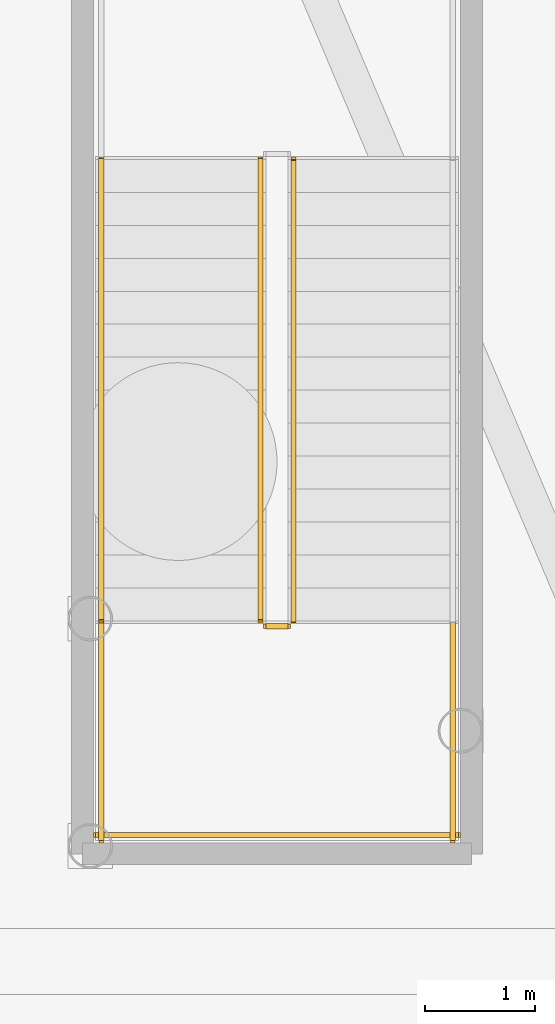
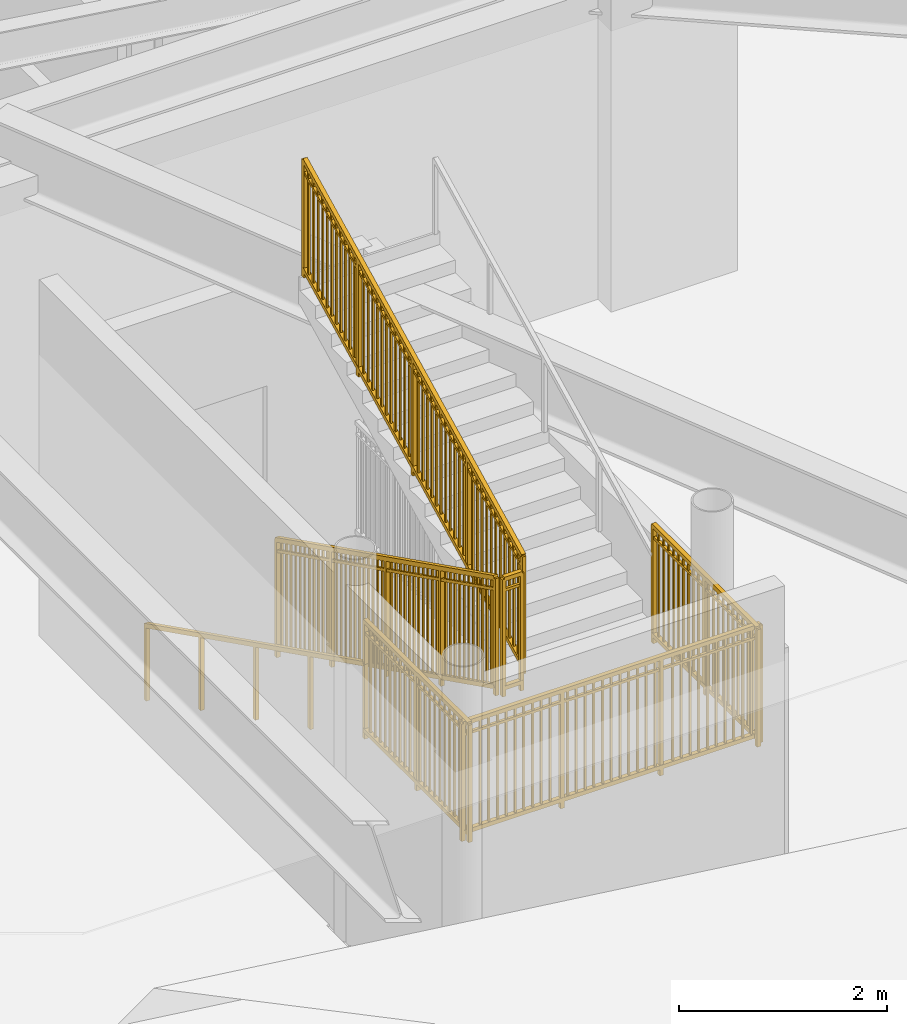
# One storey, part 13 of 18: 7 railings.
"""IFC4 building model written with IfcOpenShell, lengths in metres."""

from ifc_helpers import new_model, si_unit, direction, frame, origin, origin_2d, place, context, subcontext, project, spatial, rectangle, extrude, source, transform, mapped, material, type_object, element, save


model = new_model("IFC4")

# Units and contexts
model_context = context("Model", 3, precision=1e-05, world=origin(), true_north=direction((0.0, 1.0)))
body_context = subcontext(model_context, "Body", "Model", "MODEL_VIEW")
ifc_project = project(units=[si_unit("LENGTHUNIT", "METRE"), si_unit("AREAUNIT", "SQUARE_METRE"), si_unit("VOLUMEUNIT", "CUBIC_METRE"), si_unit("PLANEANGLEUNIT", "RADIAN"), si_unit("MASSUNIT", "GRAM", prefix="KILO")], contexts=[model_context])

# Site, building, storey
site_placement = place(None, origin())
site = spatial("IfcSite", under=ifc_project, at=site_placement, CompositionType="ELEMENT")
building_placement = place(site_placement, origin())
building = spatial("IfcBuilding", under=site, at=building_placement, Name="Linh Dai School and Residence Tower", CompositionType="ELEMENT")
storey_placement = place(building_placement, frame((0.0, 0.0, -9.0)))
storey = spatial("IfcBuildingStorey", under=building, at=storey_placement, Name="B02", CompositionType="ELEMENT", Elevation=-9.0)

# Railings
ifc_material_1 = material(Name="Structural Steel S355JR", Category="steel")
railing_type_1 = type_object("IfcRailingType", Name="RL-ST-GUARD-1400", PredefinedType="GUARDRAIL", material=ifc_material_1)
shared_shape_1 = source(origin(), body_context, "Body", "SweptSolid", [
    extrude(rectangle(XDim=0.048095703125, YDim=0.048095703125, at=origin_2d()), frame((0.0, 0.0, 1.3759765625), z_axis=(0.0, 0.894416792377, 0.447234392142), x_axis=(-1.0, 0.0, 0.0)), (0.0, 0.0, 1.0), 4.69580078125),
    extrude(rectangle(XDim=0.048095703125, YDim=0.048095703125, at=origin_2d()), frame((0.0, 0.0, 0.10009765625), z_axis=(0.0, 0.894416792377, 0.447234392142), x_axis=(-1.0, 0.0, 0.0)), (0.0, 0.0, 1.0), 4.69580078125),
    extrude(rectangle(XDim=0.030029296875, YDim=0.030029296875, at=origin_2d()), frame((0.0, 0.0, 1.239990234375), z_axis=(0.0, 0.894416792377, 0.447234392142), x_axis=(-1.0, 0.0, 0.0)), (0.0, 0.0, 1.0), 4.69580078125),
    extrude(rectangle(XDim=0.02001953125, YDim=0.02001953125, at=origin_2d()), frame((0.0, 0.08740234375, 0.143798828125)), (0.0, 0.0, 1.0), 1.251708984375),
    extrude(rectangle(XDim=0.02001953125, YDim=0.02001953125, at=origin_2d()), frame((0.0, 0.175048828125, 0.1875)), (0.0, 0.0, 1.0), 1.251708984375),
    extrude(rectangle(XDim=0.02001953125, YDim=0.02001953125, at=origin_2d()), frame((0.0, 0.262451171875, 0.2314453125)), (0.0, 0.0, 1.0), 1.251708984375),
    extrude(rectangle(XDim=0.02001953125, YDim=0.02001953125, at=origin_2d()), frame((0.0, 0.35009765625, 0.275146484375)), (0.0, 0.0, 1.0), 1.251708984375),
    extrude(rectangle(XDim=0.02001953125, YDim=0.02001953125, at=origin_2d()), frame((0.0, 0.4375, 0.31884765625)), (0.0, 0.0, 1.0), 1.251708984375),
    extrude(rectangle(XDim=0.02001953125, YDim=0.02001953125, at=origin_2d()), frame((0.0, 0.52490234375, 0.362548828125)), (0.0, 0.0, 1.0), 1.251708984375),
    extrude(rectangle(XDim=0.02001953125, YDim=0.02001953125, at=origin_2d()), frame((0.0, 0.612548828125, 0.40625)), (0.0, 0.0, 1.0), 1.251708984375),
    extrude(rectangle(XDim=0.02001953125, YDim=0.02001953125, at=origin_2d()), frame((0.0, 0.699951171875, 0.4501953125)), (0.0, 0.0, 1.0), 1.251708984375),
    extrude(rectangle(XDim=0.02001953125, YDim=0.02001953125, at=origin_2d()), frame((0.0, 0.78759765625, 0.493896484375)), (0.0, 0.0, 1.0), 1.251708984375),
    extrude(rectangle(XDim=0.02001953125, YDim=0.02001953125, at=origin_2d()), frame((0.0, 0.875, 0.53759765625)), (0.0, 0.0, 1.0), 1.251708984375),
    extrude(rectangle(XDim=0.02001953125, YDim=0.02001953125, at=origin_2d()), frame((0.0, 0.96240234375, 0.581298828125)), (0.0, 0.0, 1.0), 1.251708984375),
    extrude(rectangle(XDim=0.02001953125, YDim=0.02001953125, at=origin_2d()), frame((0.0, 1.137451171875, 0.6689453125)), (0.0, 0.0, 1.0), 1.251708984375),
    extrude(rectangle(XDim=0.02001953125, YDim=0.02001953125, at=origin_2d()), frame((0.0, 1.22509765625, 0.712646484375)), (0.0, 0.0, 1.0), 1.251708984375),
    extrude(rectangle(XDim=0.02001953125, YDim=0.02001953125, at=origin_2d()), frame((0.0, 1.3125, 0.75634765625)), (0.0, 0.0, 1.0), 1.251708984375),
    extrude(rectangle(XDim=0.02001953125, YDim=0.02001953125, at=origin_2d()), frame((0.0, 1.39990234375, 0.800048828125)), (0.0, 0.0, 1.0), 1.251708984375),
    extrude(rectangle(XDim=0.02001953125, YDim=0.02001953125, at=origin_2d()), frame((0.0, 1.487548828125, 0.843994140625)), (0.0, 0.0, 1.0), 1.251708984375),
    extrude(rectangle(XDim=0.02001953125, YDim=0.02001953125, at=origin_2d()), frame((0.0, 1.574951171875, 0.8876953125)), (0.0, 0.0, 1.0), 1.251708984375),
    extrude(rectangle(XDim=0.02001953125, YDim=0.02001953125, at=origin_2d()), frame((0.0, 1.66259765625, 0.931396484375)), (0.0, 0.0, 1.0), 1.251708984375),
    extrude(rectangle(XDim=0.02001953125, YDim=0.02001953125, at=origin_2d()), frame((0.0, 1.75, 0.97509765625)), (0.0, 0.0, 1.0), 1.251708984375),
    extrude(rectangle(XDim=0.02001953125, YDim=0.02001953125, at=origin_2d()), frame((0.0, 1.83740234375, 1.018798828125)), (0.0, 0.0, 1.0), 1.251708984375),
    extrude(rectangle(XDim=0.02001953125, YDim=0.02001953125, at=origin_2d()), frame((0.0, 1.925048828125, 1.062744140625)), (0.0, 0.0, 1.0), 1.251708984375),
    extrude(rectangle(XDim=0.02001953125, YDim=0.02001953125, at=origin_2d()), frame((0.0, 2.012451171875, 1.1064453125)), (0.0, 0.0, 1.0), 1.251708984375),
    extrude(rectangle(XDim=0.02001953125, YDim=0.02001953125, at=origin_2d()), frame((0.0, 2.1875, 1.19384765625)), (0.0, 0.0, 1.0), 1.251708984375),
    extrude(rectangle(XDim=0.02001953125, YDim=0.02001953125, at=origin_2d()), frame((0.0, 2.27490234375, 1.237548828125)), (0.0, 0.0, 1.0), 1.251708984375),
    extrude(rectangle(XDim=0.02001953125, YDim=0.02001953125, at=origin_2d()), frame((0.0, 2.362548828125, 1.281494140625)), (0.0, 0.0, 1.0), 1.251708984375),
    extrude(rectangle(XDim=0.02001953125, YDim=0.02001953125, at=origin_2d()), frame((0.0, 2.449951171875, 1.3251953125)), (0.0, 0.0, 1.0), 1.251708984375),
    extrude(rectangle(XDim=0.02001953125, YDim=0.02001953125, at=origin_2d()), frame((0.0, 2.537353515625, 1.368896484375)), (0.0, 0.0, 1.0), 1.251708984375),
    extrude(rectangle(XDim=0.02001953125, YDim=0.02001953125, at=origin_2d()), frame((0.0, 2.625, 1.41259765625)), (0.0, 0.0, 1.0), 1.251708984375),
    extrude(rectangle(XDim=0.02001953125, YDim=0.02001953125, at=origin_2d()), frame((0.0, 2.71240234375, 1.456298828125)), (0.0, 0.0, 1.0), 1.251708984375),
    extrude(rectangle(XDim=0.02001953125, YDim=0.02001953125, at=origin_2d()), frame((0.0, 2.800048828125, 1.500244140625)), (0.0, 0.0, 1.0), 1.251708984375),
    extrude(rectangle(XDim=0.02001953125, YDim=0.02001953125, at=origin_2d()), frame((0.0, 2.887451171875, 1.5439453125)), (0.0, 0.0, 1.0), 1.251708984375),
    extrude(rectangle(XDim=0.02001953125, YDim=0.02001953125, at=origin_2d()), frame((0.0, 2.974853515625, 1.587646484375)), (0.0, 0.0, 1.0), 1.251708984375),
    extrude(rectangle(XDim=0.02001953125, YDim=0.02001953125, at=origin_2d()), frame((0.0, 3.0625, 1.63134765625)), (0.0, 0.0, 1.0), 1.251708984375),
    extrude(rectangle(XDim=0.02001953125, YDim=0.02001953125, at=origin_2d()), frame((0.0, 3.237548828125, 1.718994140625)), (0.0, 0.0, 1.0), 1.251708984375),
    extrude(rectangle(XDim=0.02001953125, YDim=0.02001953125, at=origin_2d()), frame((0.0, 3.324951171875, 1.7626953125)), (0.0, 0.0, 1.0), 1.251708984375),
    extrude(rectangle(XDim=0.02001953125, YDim=0.02001953125, at=origin_2d()), frame((0.0, 3.412353515625, 1.806396484375)), (0.0, 0.0, 1.0), 1.251708984375),
    extrude(rectangle(XDim=0.02001953125, YDim=0.02001953125, at=origin_2d()), frame((0.0, 3.5, 1.85009765625)), (0.0, 0.0, 1.0), 1.251708984375),
    extrude(rectangle(XDim=0.02001953125, YDim=0.02001953125, at=origin_2d()), frame((0.0, 3.58740234375, 1.89404296875)), (0.0, 0.0, 1.0), 1.251708984375),
    extrude(rectangle(XDim=0.02001953125, YDim=0.02001953125, at=origin_2d()), frame((0.0, 3.675048828125, 1.937744140625)), (0.0, 0.0, 1.0), 1.251708984375),
    extrude(rectangle(XDim=0.02001953125, YDim=0.02001953125, at=origin_2d()), frame((0.0, 3.762451171875, 1.9814453125)), (0.0, 0.0, 1.0), 1.251708984375),
    extrude(rectangle(XDim=0.02001953125, YDim=0.02001953125, at=origin_2d()), frame((0.0, 3.849853515625, 2.025146484375)), (0.0, 0.0, 1.0), 1.251708984375),
    extrude(rectangle(XDim=0.02001953125, YDim=0.02001953125, at=origin_2d()), frame((0.0, 3.9375, 2.06884765625)), (0.0, 0.0, 1.0), 1.251708984375),
    extrude(rectangle(XDim=0.02001953125, YDim=0.02001953125, at=origin_2d()), frame((0.0, 4.02490234375, 2.11279296875)), (0.0, 0.0, 1.0), 1.251708984375),
    extrude(rectangle(XDim=0.02001953125, YDim=0.02001953125, at=origin_2d()), frame((0.0, 4.112548828125, 2.156494140625)), (0.0, 0.0, 1.0), 1.251708984375),
    extrude(rectangle(XDim=0.0419921875, YDim=0.0419921875, at=origin_2d()), origin(), (0.0, 0.0, 1.0), 1.3759765625),
    extrude(rectangle(XDim=0.0419921875, YDim=0.0419921875, at=origin_2d()), frame((0.0, 1.050048828125, 0.52490234375)), (0.0, 0.0, 1.0), 1.3759765625),
    extrude(rectangle(XDim=0.0419921875, YDim=0.0419921875, at=origin_2d()), frame((0.0, 2.10009765625, 1.050048828125)), (0.0, 0.0, 1.0), 1.3759765625),
    extrude(rectangle(XDim=0.0419921875, YDim=0.0419921875, at=origin_2d()), frame((0.0, 3.14990234375, 1.5751953125)), (0.0, 0.0, 1.0), 1.3759765625),
    extrude(rectangle(XDim=0.0419921875, YDim=0.0419921875, at=origin_2d()), frame((0.0, 4.199951171875, 2.10009765625)), (0.0, 0.0, 1.0), 1.3759765625),
])
railing_1_placement = place(storey_placement, frame((39.800048828125, 11.800048828125, 2.39990234375)))
element("IfcRailing", 1, at=railing_1_placement, inside=storey, type_object=railing_type_1, Name="B02 STB1 stair guard 6", PredefinedType="GUARDRAIL", context=body_context, shape_type="MappedRepresentation", body=[
    mapped(shared_shape_1, transform((0.0, 0.0, 0.0), x_axis=(1.0, 0.0, 0.0), y_axis=(0.0, 1.0, 0.0), z_axis=(0.0, 0.0, 1.0), scale=1.0)),
])
shared_shape_2 = source(origin(), body_context, "Body", "SweptSolid", [
    extrude(rectangle(XDim=0.048095703125, YDim=0.048095703125, at=origin_2d()), frame((0.0, 0.0, 1.3759765625), z_axis=(0.0, -0.894416792377, 0.447234392142), x_axis=(1.0, 0.0, 0.0)), (0.0, 0.0, 1.0), 4.69580078125),
    extrude(rectangle(XDim=0.048095703125, YDim=0.048095703125, at=origin_2d()), frame((0.0, 0.0, 0.10009765625), z_axis=(0.0, -0.894416792377, 0.447234392142), x_axis=(1.0, 0.0, 0.0)), (0.0, 0.0, 1.0), 4.69580078125),
    extrude(rectangle(XDim=0.030029296875, YDim=0.030029296875, at=origin_2d()), frame((0.0, 0.0, 1.239990234375), z_axis=(0.0, -0.894416792377, 0.447234392142), x_axis=(1.0, 0.0, 0.0)), (0.0, 0.0, 1.0), 4.69580078125),
    extrude(rectangle(XDim=0.02001953125, YDim=0.02001953125, at=origin_2d()), frame((0.0, -0.08740234375, 0.143798828125)), (0.0, 0.0, 1.0), 1.251708984375),
    extrude(rectangle(XDim=0.02001953125, YDim=0.02001953125, at=origin_2d()), frame((0.0, -0.175048828125, 0.1875)), (0.0, 0.0, 1.0), 1.251708984375),
    extrude(rectangle(XDim=0.02001953125, YDim=0.02001953125, at=origin_2d()), frame((0.0, -0.262451171875, 0.2314453125)), (0.0, 0.0, 1.0), 1.251708984375),
    extrude(rectangle(XDim=0.02001953125, YDim=0.02001953125, at=origin_2d()), frame((0.0, -0.35009765625, 0.275146484375)), (0.0, 0.0, 1.0), 1.251708984375),
    extrude(rectangle(XDim=0.02001953125, YDim=0.02001953125, at=origin_2d()), frame((0.0, -0.4375, 0.31884765625)), (0.0, 0.0, 1.0), 1.251708984375),
    extrude(rectangle(XDim=0.02001953125, YDim=0.02001953125, at=origin_2d()), frame((0.0, -0.52490234375, 0.362548828125)), (0.0, 0.0, 1.0), 1.251708984375),
    extrude(rectangle(XDim=0.02001953125, YDim=0.02001953125, at=origin_2d()), frame((0.0, -0.612548828125, 0.40625)), (0.0, 0.0, 1.0), 1.251708984375),
    extrude(rectangle(XDim=0.02001953125, YDim=0.02001953125, at=origin_2d()), frame((0.0, -0.699951171875, 0.4501953125)), (0.0, 0.0, 1.0), 1.251708984375),
    extrude(rectangle(XDim=0.02001953125, YDim=0.02001953125, at=origin_2d()), frame((0.0, -0.78759765625, 0.493896484375)), (0.0, 0.0, 1.0), 1.251708984375),
    extrude(rectangle(XDim=0.02001953125, YDim=0.02001953125, at=origin_2d()), frame((0.0, -0.875, 0.53759765625)), (0.0, 0.0, 1.0), 1.251708984375),
    extrude(rectangle(XDim=0.02001953125, YDim=0.02001953125, at=origin_2d()), frame((0.0, -0.96240234375, 0.581298828125)), (0.0, 0.0, 1.0), 1.251708984375),
    extrude(rectangle(XDim=0.02001953125, YDim=0.02001953125, at=origin_2d()), frame((0.0, -1.137451171875, 0.6689453125)), (0.0, 0.0, 1.0), 1.251708984375),
    extrude(rectangle(XDim=0.02001953125, YDim=0.02001953125, at=origin_2d()), frame((0.0, -1.22509765625, 0.712646484375)), (0.0, 0.0, 1.0), 1.251708984375),
    extrude(rectangle(XDim=0.02001953125, YDim=0.02001953125, at=origin_2d()), frame((0.0, -1.3125, 0.75634765625)), (0.0, 0.0, 1.0), 1.251708984375),
    extrude(rectangle(XDim=0.02001953125, YDim=0.02001953125, at=origin_2d()), frame((0.0, -1.39990234375, 0.800048828125)), (0.0, 0.0, 1.0), 1.251708984375),
    extrude(rectangle(XDim=0.02001953125, YDim=0.02001953125, at=origin_2d()), frame((0.0, -1.487548828125, 0.843994140625)), (0.0, 0.0, 1.0), 1.251708984375),
    extrude(rectangle(XDim=0.02001953125, YDim=0.02001953125, at=origin_2d()), frame((0.0, -1.574951171875, 0.8876953125)), (0.0, 0.0, 1.0), 1.251708984375),
    extrude(rectangle(XDim=0.02001953125, YDim=0.02001953125, at=origin_2d()), frame((0.0, -1.66259765625, 0.931396484375)), (0.0, 0.0, 1.0), 1.251708984375),
    extrude(rectangle(XDim=0.02001953125, YDim=0.02001953125, at=origin_2d()), frame((0.0, -1.75, 0.97509765625)), (0.0, 0.0, 1.0), 1.251708984375),
    extrude(rectangle(XDim=0.02001953125, YDim=0.02001953125, at=origin_2d()), frame((0.0, -1.83740234375, 1.018798828125)), (0.0, 0.0, 1.0), 1.251708984375),
    extrude(rectangle(XDim=0.02001953125, YDim=0.02001953125, at=origin_2d()), frame((0.0, -1.925048828125, 1.062744140625)), (0.0, 0.0, 1.0), 1.251708984375),
    extrude(rectangle(XDim=0.02001953125, YDim=0.02001953125, at=origin_2d()), frame((0.0, -2.012451171875, 1.1064453125)), (0.0, 0.0, 1.0), 1.251708984375),
    extrude(rectangle(XDim=0.02001953125, YDim=0.02001953125, at=origin_2d()), frame((0.0, -2.1875, 1.19384765625)), (0.0, 0.0, 1.0), 1.251708984375),
    extrude(rectangle(XDim=0.02001953125, YDim=0.02001953125, at=origin_2d()), frame((0.0, -2.27490234375, 1.237548828125)), (0.0, 0.0, 1.0), 1.251708984375),
    extrude(rectangle(XDim=0.02001953125, YDim=0.02001953125, at=origin_2d()), frame((0.0, -2.362548828125, 1.281494140625)), (0.0, 0.0, 1.0), 1.251708984375),
    extrude(rectangle(XDim=0.02001953125, YDim=0.02001953125, at=origin_2d()), frame((0.0, -2.449951171875, 1.3251953125)), (0.0, 0.0, 1.0), 1.251708984375),
    extrude(rectangle(XDim=0.02001953125, YDim=0.02001953125, at=origin_2d()), frame((0.0, -2.537353515625, 1.368896484375)), (0.0, 0.0, 1.0), 1.251708984375),
    extrude(rectangle(XDim=0.02001953125, YDim=0.02001953125, at=origin_2d()), frame((0.0, -2.625, 1.41259765625)), (0.0, 0.0, 1.0), 1.251708984375),
    extrude(rectangle(XDim=0.02001953125, YDim=0.02001953125, at=origin_2d()), frame((0.0, -2.71240234375, 1.456298828125)), (0.0, 0.0, 1.0), 1.251708984375),
    extrude(rectangle(XDim=0.02001953125, YDim=0.02001953125, at=origin_2d()), frame((0.0, -2.800048828125, 1.500244140625)), (0.0, 0.0, 1.0), 1.251708984375),
    extrude(rectangle(XDim=0.02001953125, YDim=0.02001953125, at=origin_2d()), frame((0.0, -2.887451171875, 1.5439453125)), (0.0, 0.0, 1.0), 1.251708984375),
    extrude(rectangle(XDim=0.02001953125, YDim=0.02001953125, at=origin_2d()), frame((0.0, -2.974853515625, 1.587646484375)), (0.0, 0.0, 1.0), 1.251708984375),
    extrude(rectangle(XDim=0.02001953125, YDim=0.02001953125, at=origin_2d()), frame((0.0, -3.0625, 1.63134765625)), (0.0, 0.0, 1.0), 1.251708984375),
    extrude(rectangle(XDim=0.02001953125, YDim=0.02001953125, at=origin_2d()), frame((0.0, -3.237548828125, 1.718994140625)), (0.0, 0.0, 1.0), 1.251708984375),
    extrude(rectangle(XDim=0.02001953125, YDim=0.02001953125, at=origin_2d()), frame((0.0, -3.324951171875, 1.7626953125)), (0.0, 0.0, 1.0), 1.251708984375),
    extrude(rectangle(XDim=0.02001953125, YDim=0.02001953125, at=origin_2d()), frame((0.0, -3.412353515625, 1.806396484375)), (0.0, 0.0, 1.0), 1.251708984375),
    extrude(rectangle(XDim=0.02001953125, YDim=0.02001953125, at=origin_2d()), frame((0.0, -3.5, 1.85009765625)), (0.0, 0.0, 1.0), 1.251708984375),
    extrude(rectangle(XDim=0.02001953125, YDim=0.02001953125, at=origin_2d()), frame((0.0, -3.58740234375, 1.89404296875)), (0.0, 0.0, 1.0), 1.251708984375),
    extrude(rectangle(XDim=0.02001953125, YDim=0.02001953125, at=origin_2d()), frame((0.0, -3.675048828125, 1.937744140625)), (0.0, 0.0, 1.0), 1.251708984375),
    extrude(rectangle(XDim=0.02001953125, YDim=0.02001953125, at=origin_2d()), frame((0.0, -3.762451171875, 1.9814453125)), (0.0, 0.0, 1.0), 1.251708984375),
    extrude(rectangle(XDim=0.02001953125, YDim=0.02001953125, at=origin_2d()), frame((0.0, -3.849853515625, 2.025146484375)), (0.0, 0.0, 1.0), 1.251708984375),
    extrude(rectangle(XDim=0.02001953125, YDim=0.02001953125, at=origin_2d()), frame((0.0, -3.9375, 2.06884765625)), (0.0, 0.0, 1.0), 1.251708984375),
    extrude(rectangle(XDim=0.02001953125, YDim=0.02001953125, at=origin_2d()), frame((0.0, -4.02490234375, 2.11279296875)), (0.0, 0.0, 1.0), 1.251708984375),
    extrude(rectangle(XDim=0.02001953125, YDim=0.02001953125, at=origin_2d()), frame((0.0, -4.112548828125, 2.156494140625)), (0.0, 0.0, 1.0), 1.251708984375),
    extrude(rectangle(XDim=0.0419921875, YDim=0.0419921875, at=origin_2d()), origin(), (0.0, 0.0, 1.0), 1.3759765625),
    extrude(rectangle(XDim=0.0419921875, YDim=0.0419921875, at=origin_2d()), frame((0.0, -1.050048828125, 0.52490234375)), (0.0, 0.0, 1.0), 1.3759765625),
    extrude(rectangle(XDim=0.0419921875, YDim=0.0419921875, at=origin_2d()), frame((0.0, -2.10009765625, 1.050048828125)), (0.0, 0.0, 1.0), 1.3759765625),
    extrude(rectangle(XDim=0.0419921875, YDim=0.0419921875, at=origin_2d()), frame((0.0, -3.14990234375, 1.5751953125)), (0.0, 0.0, 1.0), 1.3759765625),
    extrude(rectangle(XDim=0.0419921875, YDim=0.0419921875, at=origin_2d()), frame((0.0, -4.199951171875, 2.10009765625)), (0.0, 0.0, 1.0), 1.3759765625),
])
railing_2_placement = place(storey_placement, frame((39.5, 16.0, 0.14990234375)))
element("IfcRailing", 2, at=railing_2_placement, inside=storey, type_object=railing_type_1, Name="B02 STB1 stair guard 1", PredefinedType="GUARDRAIL", context=body_context, shape_type="MappedRepresentation", body=[
    mapped(shared_shape_2, transform((0.0, 0.0, 0.0), x_axis=(1.0, 0.0, 0.0), y_axis=(0.0, 1.0, 0.0), z_axis=(0.0, 0.0, 1.0), scale=1.0)),
])
ifc_material_2 = material(Name="Brushed Stainless Steel Handrail", Category="steel")
railing_type_2 = type_object("IfcRailingType", Name="RL-ST-HANDRAIL-900", PredefinedType="HANDRAIL", material=ifc_material_2)
shared_shape_3 = source(origin(), body_context, "Body", "SweptSolid", [
    extrude(rectangle(XDim=0.048095703125, YDim=0.048095703125, at=origin_2d()), frame((0.0, 0.0, 0.8759765625), z_axis=(0.0, -0.894416792377, 0.447234392142), x_axis=(1.0, 0.0, 0.0)), (0.0, 0.0, 1.0), 4.69580078125),
    extrude(rectangle(XDim=0.0419921875, YDim=0.0419921875, at=origin_2d()), origin(), (0.0, 0.0, 1.0), 0.8759765625),
    extrude(rectangle(XDim=0.0419921875, YDim=0.0419921875, at=origin_2d()), frame((0.0, -1.050048828125, 0.52490234375)), (0.0, 0.0, 1.0), 0.8759765625),
    extrude(rectangle(XDim=0.0419921875, YDim=0.0419921875, at=origin_2d()), frame((0.0, -2.10009765625, 1.050048828125)), (0.0, 0.0, 1.0), 0.8759765625),
    extrude(rectangle(XDim=0.0419921875, YDim=0.0419921875, at=origin_2d()), frame((0.0, -3.14990234375, 1.5751953125)), (0.0, 0.0, 1.0), 0.8759765625),
    extrude(rectangle(XDim=0.0419921875, YDim=0.0419921875, at=origin_2d()), frame((0.0, -4.199951171875, 2.10009765625)), (0.0, 0.0, 1.0), 0.8759765625),
])
railing_3_placement = place(storey_placement, frame((38.050048828125, 16.0, 0.14990234375)))
element("IfcRailing", 3, at=railing_3_placement, inside=storey, type_object=railing_type_2, Name="B02 STB1 stair handrail 1", PredefinedType="HANDRAIL", context=body_context, shape_type="MappedRepresentation", body=[
    mapped(shared_shape_3, transform((0.0, 0.0, 0.0), x_axis=(1.0, 0.0, 0.0), y_axis=(0.0, 1.0, 0.0), z_axis=(0.0, 0.0, 1.0), scale=1.0)),
])
shared_shape_4 = source(origin(), body_context, "Body", "SweptSolid", [
    extrude(rectangle(XDim=0.048095703125, YDim=0.048095703125, at=origin_2d()), frame((0.0, 0.0, 1.3759765625), z_axis=(1.0, 0.0, 0.0), x_axis=(0.0, 1.0, 0.0)), (0.0, 0.0, 1.0), 0.199951171875),
    extrude(rectangle(XDim=0.048095703125, YDim=0.048095703125, at=origin_2d()), frame((0.0, 0.0, 0.10009765625), z_axis=(1.0, 0.0, 0.0), x_axis=(0.0, 1.0, 0.0)), (0.0, 0.0, 1.0), 0.199951171875),
    extrude(rectangle(XDim=0.030029296875, YDim=0.030029296875, at=origin_2d()), frame((0.0, 0.0, 1.239990234375), z_axis=(1.0, 0.0, 0.0), x_axis=(0.0, 1.0, 0.0)), (0.0, 0.0, 1.0), 0.199951171875),
    extrude(rectangle(XDim=0.0419921875, YDim=0.0419921875, at=origin_2d()), origin(), (0.0, 0.0, 1.0), 1.3759765625),
    extrude(rectangle(XDim=0.0419921875, YDim=0.0419921875, at=origin_2d()), frame((0.199951171875, 0.0, 0.0)), (0.0, 0.0, 1.0), 1.3759765625),
])
railing_4_placement = place(storey_placement, frame((39.550048828125, 11.75, 2.25)))
element("IfcRailing", 4, at=railing_4_placement, inside=storey, type_object=railing_type_1, Name="B02 STB1 stair guard 2", PredefinedType="GUARDRAIL", context=body_context, shape_type="MappedRepresentation", body=[
    mapped(shared_shape_4, transform((0.0, 0.0, 0.0), x_axis=(1.0, 0.0, 0.0), y_axis=(0.0, 1.0, 0.0), z_axis=(0.0, 0.0, 1.0), scale=1.0)),
])
shared_shape_5 = source(origin(), body_context, "Body", "SweptSolid", [
    extrude(rectangle(XDim=0.048095703125, YDim=0.048095703125, at=origin_2d()), frame((0.0, 0.0, 1.3759765625), z_axis=(1.0, 0.0, 0.0), x_axis=(0.0, 1.0, 0.0)), (0.0, 0.0, 1.0), 3.300048828125),
    extrude(rectangle(XDim=0.048095703125, YDim=0.048095703125, at=origin_2d()), frame((0.0, 0.0, 0.10009765625), z_axis=(1.0, 0.0, 0.0), x_axis=(0.0, 1.0, 0.0)), (0.0, 0.0, 1.0), 3.300048828125),
    extrude(rectangle(XDim=0.030029296875, YDim=0.030029296875, at=origin_2d()), frame((0.0, 0.0, 1.239990234375), z_axis=(1.0, 0.0, 0.0), x_axis=(0.0, 1.0, 0.0)), (0.0, 0.0, 1.0), 3.300048828125),
    extrude(rectangle(XDim=0.02001953125, YDim=0.02001953125, at=origin_2d()), frame((0.09716796875, 0.0, 0.10009765625)), (0.0, 0.0, 1.0), 1.251708984375),
    extrude(rectangle(XDim=0.02001953125, YDim=0.02001953125, at=origin_2d()), frame((0.194091796875, 0.0, 0.10009765625)), (0.0, 0.0, 1.0), 1.251708984375),
    extrude(rectangle(XDim=0.02001953125, YDim=0.02001953125, at=origin_2d()), frame((0.291259765625, 0.0, 0.10009765625)), (0.0, 0.0, 1.0), 1.251708984375),
    extrude(rectangle(XDim=0.02001953125, YDim=0.02001953125, at=origin_2d()), frame((0.38818359375, 0.0, 0.10009765625)), (0.0, 0.0, 1.0), 1.251708984375),
    extrude(rectangle(XDim=0.02001953125, YDim=0.02001953125, at=origin_2d()), frame((0.4853515625, 0.0, 0.10009765625)), (0.0, 0.0, 1.0), 1.251708984375),
    extrude(rectangle(XDim=0.02001953125, YDim=0.02001953125, at=origin_2d()), frame((0.582275390625, 0.0, 0.10009765625)), (0.0, 0.0, 1.0), 1.251708984375),
    extrude(rectangle(XDim=0.02001953125, YDim=0.02001953125, at=origin_2d()), frame((0.679443359375, 0.0, 0.10009765625)), (0.0, 0.0, 1.0), 1.251708984375),
    extrude(rectangle(XDim=0.02001953125, YDim=0.02001953125, at=origin_2d()), frame((0.7763671875, 0.0, 0.10009765625)), (0.0, 0.0, 1.0), 1.251708984375),
    extrude(rectangle(XDim=0.02001953125, YDim=0.02001953125, at=origin_2d()), frame((0.87353515625, 0.0, 0.10009765625)), (0.0, 0.0, 1.0), 1.251708984375),
    extrude(rectangle(XDim=0.02001953125, YDim=0.02001953125, at=origin_2d()), frame((0.970703125, 0.0, 0.10009765625)), (0.0, 0.0, 1.0), 1.251708984375),
    extrude(rectangle(XDim=0.02001953125, YDim=0.02001953125, at=origin_2d()), frame((1.164794921875, 0.0, 0.10009765625)), (0.0, 0.0, 1.0), 1.251708984375),
    extrude(rectangle(XDim=0.02001953125, YDim=0.02001953125, at=origin_2d()), frame((1.26171875, 0.0, 0.10009765625)), (0.0, 0.0, 1.0), 1.251708984375),
    extrude(rectangle(XDim=0.02001953125, YDim=0.02001953125, at=origin_2d()), frame((1.35888671875, 0.0, 0.10009765625)), (0.0, 0.0, 1.0), 1.251708984375),
    extrude(rectangle(XDim=0.02001953125, YDim=0.02001953125, at=origin_2d()), frame((1.455810546875, 0.0, 0.10009765625)), (0.0, 0.0, 1.0), 1.251708984375),
    extrude(rectangle(XDim=0.02001953125, YDim=0.02001953125, at=origin_2d()), frame((1.552978515625, 0.0, 0.10009765625)), (0.0, 0.0, 1.0), 1.251708984375),
    extrude(rectangle(XDim=0.02001953125, YDim=0.02001953125, at=origin_2d()), frame((1.64990234375, 0.0, 0.10009765625)), (0.0, 0.0, 1.0), 1.251708984375),
    extrude(rectangle(XDim=0.02001953125, YDim=0.02001953125, at=origin_2d()), frame((1.7470703125, 0.0, 0.10009765625)), (0.0, 0.0, 1.0), 1.251708984375),
    extrude(rectangle(XDim=0.02001953125, YDim=0.02001953125, at=origin_2d()), frame((1.84423828125, 0.0, 0.10009765625)), (0.0, 0.0, 1.0), 1.251708984375),
    extrude(rectangle(XDim=0.02001953125, YDim=0.02001953125, at=origin_2d()), frame((1.941162109375, 0.0, 0.10009765625)), (0.0, 0.0, 1.0), 1.251708984375),
    extrude(rectangle(XDim=0.02001953125, YDim=0.02001953125, at=origin_2d()), frame((2.038330078125, 0.0, 0.10009765625)), (0.0, 0.0, 1.0), 1.251708984375),
    extrude(rectangle(XDim=0.02001953125, YDim=0.02001953125, at=origin_2d()), frame((2.13525390625, 0.0, 0.10009765625)), (0.0, 0.0, 1.0), 1.251708984375),
    extrude(rectangle(XDim=0.02001953125, YDim=0.02001953125, at=origin_2d()), frame((2.329345703125, 0.0, 0.10009765625)), (0.0, 0.0, 1.0), 1.251708984375),
    extrude(rectangle(XDim=0.02001953125, YDim=0.02001953125, at=origin_2d()), frame((2.426513671875, 0.0, 0.10009765625)), (0.0, 0.0, 1.0), 1.251708984375),
    extrude(rectangle(XDim=0.02001953125, YDim=0.02001953125, at=origin_2d()), frame((2.523681640625, 0.0, 0.10009765625)), (0.0, 0.0, 1.0), 1.251708984375),
    extrude(rectangle(XDim=0.02001953125, YDim=0.02001953125, at=origin_2d()), frame((2.62060546875, 0.0, 0.10009765625)), (0.0, 0.0, 1.0), 1.251708984375),
    extrude(rectangle(XDim=0.02001953125, YDim=0.02001953125, at=origin_2d()), frame((2.7177734375, 0.0, 0.10009765625)), (0.0, 0.0, 1.0), 1.251708984375),
    extrude(rectangle(XDim=0.02001953125, YDim=0.02001953125, at=origin_2d()), frame((2.814697265625, 0.0, 0.10009765625)), (0.0, 0.0, 1.0), 1.251708984375),
    extrude(rectangle(XDim=0.02001953125, YDim=0.02001953125, at=origin_2d()), frame((2.911865234375, 0.0, 0.10009765625)), (0.0, 0.0, 1.0), 1.251708984375),
    extrude(rectangle(XDim=0.02001953125, YDim=0.02001953125, at=origin_2d()), frame((3.0087890625, 0.0, 0.10009765625)), (0.0, 0.0, 1.0), 1.251708984375),
    extrude(rectangle(XDim=0.02001953125, YDim=0.02001953125, at=origin_2d()), frame((3.10595703125, 0.0, 0.10009765625)), (0.0, 0.0, 1.0), 1.251708984375),
    extrude(rectangle(XDim=0.02001953125, YDim=0.02001953125, at=origin_2d()), frame((3.202880859375, 0.0, 0.10009765625)), (0.0, 0.0, 1.0), 1.251708984375),
    extrude(rectangle(XDim=0.0419921875, YDim=0.0419921875, at=origin_2d()), origin(), (0.0, 0.0, 1.0), 1.3759765625),
    extrude(rectangle(XDim=0.0419921875, YDim=0.0419921875, at=origin_2d()), frame((1.10009765625, 0.0, 0.0)), (0.0, 0.0, 1.0), 1.3759765625),
    extrude(rectangle(XDim=0.0419921875, YDim=0.0419921875, at=origin_2d()), frame((2.199951171875, 0.0, 0.0)), (0.0, 0.0, 1.0), 1.3759765625),
    extrude(rectangle(XDim=0.0419921875, YDim=0.0419921875, at=origin_2d()), frame((3.300048828125, 0.0, 0.0)), (0.0, 0.0, 1.0), 1.3759765625),
])
railing_5_placement = place(storey_placement, frame((38.0, 9.85009765625, 2.25)))
element("IfcRailing", 5, at=railing_5_placement, inside=storey, type_object=railing_type_1, Name="B02 STB1 stair guard 5", PredefinedType="GUARDRAIL", context=body_context, shape_type="MappedRepresentation", body=[
    mapped(shared_shape_5, transform((0.0, 0.0, 0.0), x_axis=(1.0, 0.0, 0.0), y_axis=(0.0, 1.0, 0.0), z_axis=(0.0, 0.0, 1.0), scale=1.0)),
])
shared_shape_6 = source(origin(), body_context, "Body", "SweptSolid", [
    extrude(rectangle(XDim=0.048095703125, YDim=0.048095703125, at=origin_2d()), frame((0.0, 0.0, 1.3759765625), z_axis=(0.0, -1.0, 0.0), x_axis=(1.0, 0.0, 0.0)), (0.0, 0.0, 1.0), 2.0),
    extrude(rectangle(XDim=0.048095703125, YDim=0.048095703125, at=origin_2d()), frame((0.0, 0.0, 0.10009765625), z_axis=(0.0, -1.0, 0.0), x_axis=(1.0, 0.0, 0.0)), (0.0, 0.0, 1.0), 2.0),
    extrude(rectangle(XDim=0.030029296875, YDim=0.030029296875, at=origin_2d()), frame((0.0, 0.0, 1.239990234375), z_axis=(0.0, -1.0, 0.0), x_axis=(1.0, 0.0, 0.0)), (0.0, 0.0, 1.0), 2.0),
    extrude(rectangle(XDim=0.02001953125, YDim=0.02001953125, at=origin_2d()), frame((0.0, -0.09521484375, 0.10009765625)), (0.0, 0.0, 1.0), 1.251708984375),
    extrude(rectangle(XDim=0.02001953125, YDim=0.02001953125, at=origin_2d()), frame((0.0, -0.1904296875, 0.10009765625)), (0.0, 0.0, 1.0), 1.251708984375),
    extrude(rectangle(XDim=0.02001953125, YDim=0.02001953125, at=origin_2d()), frame((0.0, -0.28564453125, 0.10009765625)), (0.0, 0.0, 1.0), 1.251708984375),
    extrude(rectangle(XDim=0.02001953125, YDim=0.02001953125, at=origin_2d()), frame((0.0, -0.380859375, 0.10009765625)), (0.0, 0.0, 1.0), 1.251708984375),
    extrude(rectangle(XDim=0.02001953125, YDim=0.02001953125, at=origin_2d()), frame((0.0, -0.47607421875, 0.10009765625)), (0.0, 0.0, 1.0), 1.251708984375),
    extrude(rectangle(XDim=0.02001953125, YDim=0.02001953125, at=origin_2d()), frame((0.0, -0.571533203125, 0.10009765625)), (0.0, 0.0, 1.0), 1.251708984375),
    extrude(rectangle(XDim=0.02001953125, YDim=0.02001953125, at=origin_2d()), frame((0.0, -0.666748046875, 0.10009765625)), (0.0, 0.0, 1.0), 1.251708984375),
    extrude(rectangle(XDim=0.02001953125, YDim=0.02001953125, at=origin_2d()), frame((0.0, -0.761962890625, 0.10009765625)), (0.0, 0.0, 1.0), 1.251708984375),
    extrude(rectangle(XDim=0.02001953125, YDim=0.02001953125, at=origin_2d()), frame((0.0, -0.857177734375, 0.10009765625)), (0.0, 0.0, 1.0), 1.251708984375),
    extrude(rectangle(XDim=0.02001953125, YDim=0.02001953125, at=origin_2d()), frame((0.0, -0.952392578125, 0.10009765625)), (0.0, 0.0, 1.0), 1.251708984375),
    extrude(rectangle(XDim=0.02001953125, YDim=0.02001953125, at=origin_2d()), frame((0.0, -1.047607421875, 0.10009765625)), (0.0, 0.0, 1.0), 1.251708984375),
    extrude(rectangle(XDim=0.02001953125, YDim=0.02001953125, at=origin_2d()), frame((0.0, -1.142822265625, 0.10009765625)), (0.0, 0.0, 1.0), 1.251708984375),
    extrude(rectangle(XDim=0.02001953125, YDim=0.02001953125, at=origin_2d()), frame((0.0, -1.238037109375, 0.10009765625)), (0.0, 0.0, 1.0), 1.251708984375),
    extrude(rectangle(XDim=0.02001953125, YDim=0.02001953125, at=origin_2d()), frame((0.0, -1.333251953125, 0.10009765625)), (0.0, 0.0, 1.0), 1.251708984375),
    extrude(rectangle(XDim=0.02001953125, YDim=0.02001953125, at=origin_2d()), frame((0.0, -1.428466796875, 0.10009765625)), (0.0, 0.0, 1.0), 1.251708984375),
    extrude(rectangle(XDim=0.02001953125, YDim=0.02001953125, at=origin_2d()), frame((0.0, -1.52392578125, 0.10009765625)), (0.0, 0.0, 1.0), 1.251708984375),
    extrude(rectangle(XDim=0.02001953125, YDim=0.02001953125, at=origin_2d()), frame((0.0, -1.619140625, 0.10009765625)), (0.0, 0.0, 1.0), 1.251708984375),
    extrude(rectangle(XDim=0.02001953125, YDim=0.02001953125, at=origin_2d()), frame((0.0, -1.71435546875, 0.10009765625)), (0.0, 0.0, 1.0), 1.251708984375),
    extrude(rectangle(XDim=0.02001953125, YDim=0.02001953125, at=origin_2d()), frame((0.0, -1.8095703125, 0.10009765625)), (0.0, 0.0, 1.0), 1.251708984375),
    extrude(rectangle(XDim=0.02001953125, YDim=0.02001953125, at=origin_2d()), frame((0.0, -1.90478515625, 0.10009765625)), (0.0, 0.0, 1.0), 1.251708984375),
    extrude(rectangle(XDim=0.0419921875, YDim=0.0419921875, at=origin_2d()), origin(), (0.0, 0.0, 1.0), 1.3759765625),
    extrude(rectangle(XDim=0.0419921875, YDim=0.0419921875, at=origin_2d()), frame((0.0, -1.0, 0.0)), (0.0, 0.0, 1.0), 1.3759765625),
    extrude(rectangle(XDim=0.0419921875, YDim=0.0419921875, at=origin_2d()), frame((0.0, -2.0, 0.0)), (0.0, 0.0, 1.0), 1.3759765625),
])
for number, where, name in (
    (6, (38.050048828125, 11.800048828125, 2.25), "B02 STB1 stair guard 3"),
    (7, (41.25, 11.800048828125, 2.25), "B02 STB1 stair guard 4"),
):
    element("IfcRailing", number, at=place(storey_placement, frame(where)), inside=storey, type_object=railing_type_1, Name=name, PredefinedType="GUARDRAIL", context=body_context, shape_type="MappedRepresentation", body=[
        mapped(shared_shape_6, transform((0.0, 0.0, 0.0), x_axis=(1.0, 0.0, 0.0), y_axis=(0.0, 1.0, 0.0), z_axis=(0.0, 0.0, 1.0), scale=1.0)),
    ])

save(model, "model.ifc")
